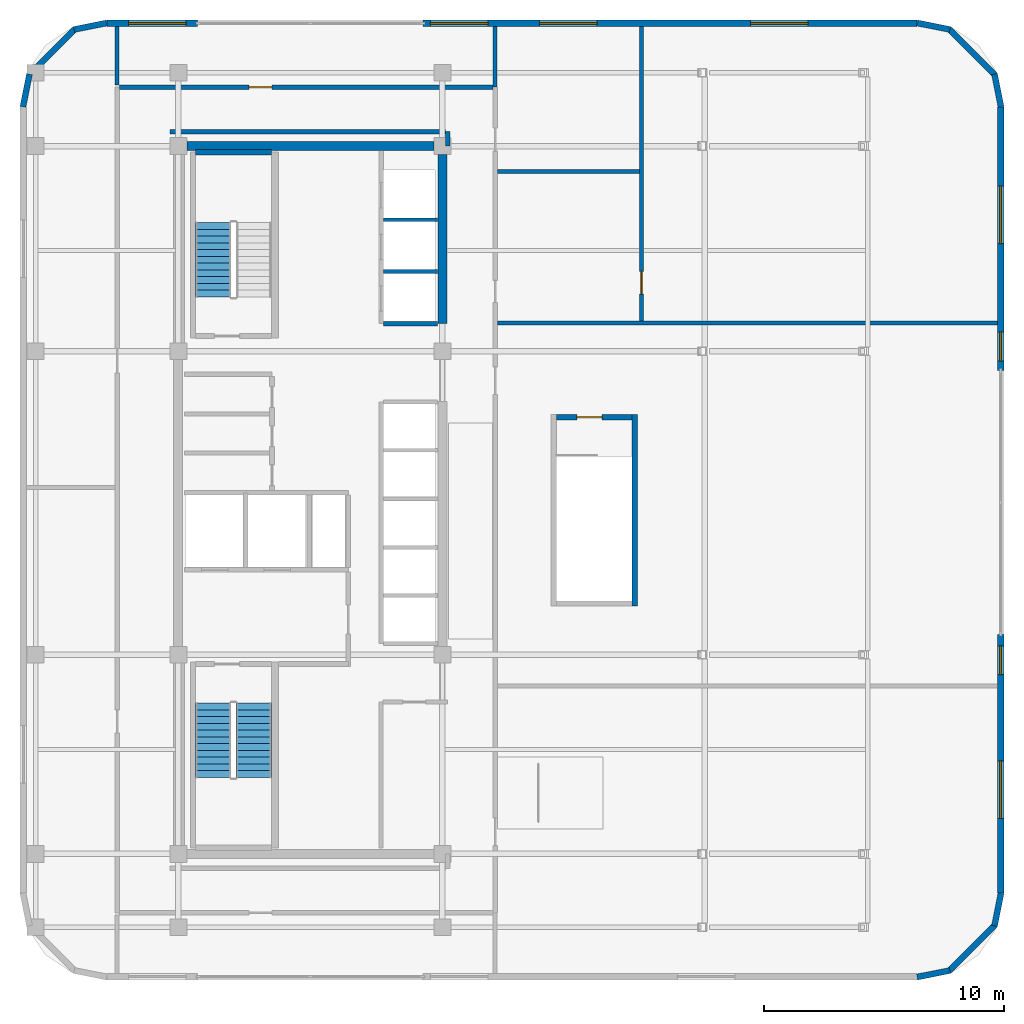
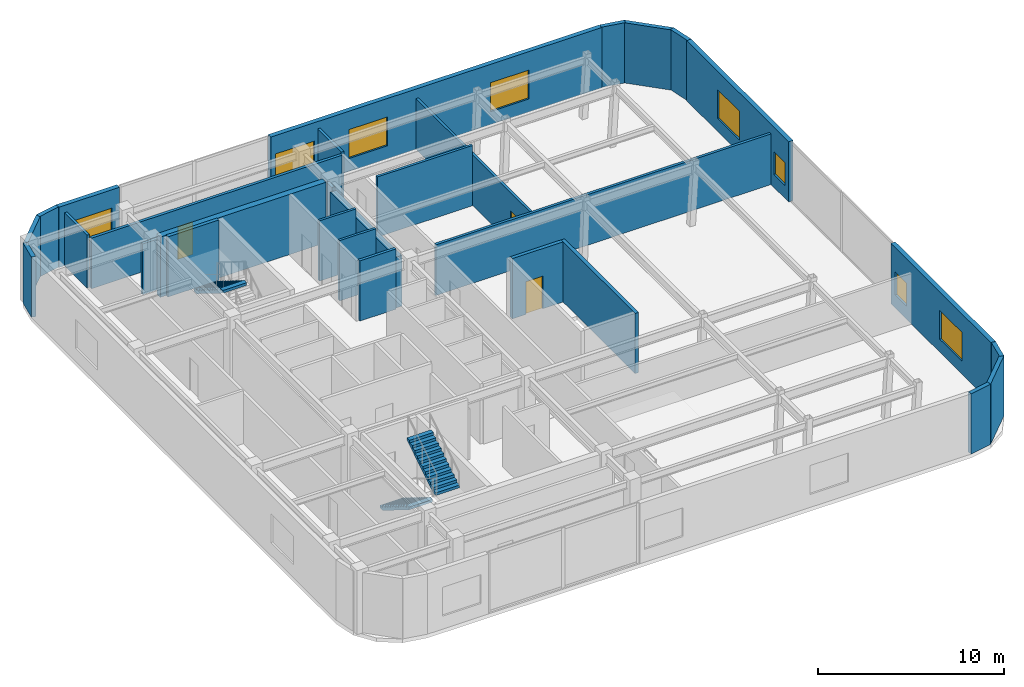
# One storey, part 8 of 10: 29 walls, 8 windows, 3 doors, 3 stair flights, 11 openings, 2 elements without a shape of their own.
"""IFC4 building model written with IfcOpenShell, lengths in metres."""

from ifc_helpers import new_model, si_unit, direction, frame, frame_2d, origin, place, context, subcontext, project, spatial, polyline, rectangle, outline, extrude, material, layer, layer_set, type_object, element, fill, aggregate, save


model = new_model("IFC4")

# Units and contexts
model_context = context("Model", 3, precision=1e-05, world=origin(), true_north=direction((0.0, 1.0)))
body_context = subcontext(model_context, "Body", "Model", "MODEL_VIEW")
ifc_project = project(units=[si_unit("LENGTHUNIT", "METRE"), si_unit("AREAUNIT", "SQUARE_METRE"), si_unit("VOLUMEUNIT", "CUBIC_METRE"), si_unit("PLANEANGLEUNIT", "RADIAN"), si_unit("MASSUNIT", "GRAM", prefix="KILO")], contexts=[model_context])

# Site, building, storey
site_placement = place(None, origin())
site = spatial("IfcSite", under=ifc_project, at=site_placement, CompositionType="ELEMENT")
building_placement = place(site_placement, origin())
building = spatial("IfcBuilding", under=site, at=building_placement, Name="Ochreholt Gables", CompositionType="ELEMENT")
storey_placement = place(building_placement, frame((0.0, 0.0, 173.39990234375)))
storey = spatial("IfcBuildingStorey", under=building, at=storey_placement, Name="L45", CompositionType="ELEMENT", Elevation=173.39990234375)

# Walls
ifc_material_1 = material(Name="Concrete 50 MPa", Category="concrete")
ifc_layer_1 = layer(ifc_material_1, 0.3798828125, Name="Concrete 50 MPa")
ifc_layer_set_1 = layer_set([ifc_layer_1], Name="Concrete 50 MPa")
wall_type_1 = type_object("IfcWallType", Name="WALL-CSW-380", PredefinedType="SHEAR", material=ifc_layer_set_1)
wall_1_placement = place(storey_placement, frame((35.2099609375, 31.35009765625, 0.0), z_axis=(0.0, 0.0, 1.0), x_axis=(0.0, 1.0, 0.0)))
element("IfcWall", 1, at=wall_1_placement, inside=storey, type_object=wall_type_1, Name="L45 Core North-East Shear Wall", PredefinedType="SHEAR", context=body_context, shape_type="SweptSolid", body=[
    extrude(rectangle(XDim=7.0498046875, YDim=0.3798828125, at=frame_2d((3.52490234375, 0.0))), origin(), (0.0, 0.0, 1.0), 3.34814453125),
])
wall_2_placement = place(storey_placement, frame((24.550048828125, 38.75, 0.0), z_axis=(0.0, 0.0, 1.0), x_axis=(1.0, 0.0, 0.0)))
element("IfcWall", 2, at=wall_2_placement, inside=storey, type_object=wall_type_1, Name="L45 Core North Shear Wall", PredefinedType="SHEAR", context=body_context, shape_type="SweptSolid", body=[
    extrude(rectangle(XDim=10.300048828125, YDim=0.3798828125, at=frame_2d((5.14990234375, 0.0))), origin(), (0.0, 0.0, 1.0), 3.960205078125),
])

# Wall, openings, windows
ifc_material_2 = material(Name="Precast concrete 40 MPa", Category="concrete")
ifc_layer_2 = layer(ifc_material_2, 0.280029296875, Name="Precast concrete 40 MPa")
ifc_layer_set_2 = layer_set([ifc_layer_2], Name="Precast concrete 40 MPa")
wall_type_2 = type_object("IfcWallType", Name="WALL-EXT-280", PredefinedType="SOLIDWALL", material=ifc_layer_set_2)
wall_3_placement = place(storey_placement, frame((58.4599609375, 7.6201171875, 0.0), z_axis=(0.0, 0.0, 1.0), x_axis=(0.0, 1.0, 0.0)))
wall_3 = element("IfcWall", 3, at=wall_3_placement, inside=storey, type_object=wall_type_2, Name="L45 East Facade Wall 1", PredefinedType="SOLIDWALL", context=body_context, shape_type="SweptSolid", body=[
    extrude(rectangle(XDim=10.77978515625, YDim=0.280029296875, at=frame_2d((5.389892578125, 0.0))), origin(), (0.0, 0.0, 1.0), 3.960205078125),
])
opening_1_placement = place(wall_3_placement, frame((3.114990234375, 0.0, 0.85009765625)))
opening_1 = element("IfcOpeningElement", 4, at=opening_1_placement, cuts=wall_3, Name="Opening WN-5", PredefinedType="OPENING", context=body_context, shape_type="SweptSolid", body=[
    extrude(rectangle(XDim=2.39990234375, YDim=1.89990234375, at=frame_2d((1.199951171875, 0.949951171875))), frame((0.0, 0.14990234375, 0.0), z_axis=(0.0, -1.0, 0.0), x_axis=(1.0, 0.0, 0.0)), (0.0, 0.0, 1.0), 0.300048828125),
])
opening_2_placement = place(wall_3_placement, frame((9.10498046875, 0.0, 0.85009765625)))
opening_2 = element("IfcOpeningElement", 5, at=opening_2_placement, cuts=wall_3, Name="Opening WN-3", PredefinedType="OPENING", context=body_context, shape_type="SweptSolid", body=[
    extrude(rectangle(XDim=1.199951171875, YDim=1.5, at=frame_2d((0.60009765625, 0.75))), frame((0.0, 0.14990234375, 0.0), z_axis=(0.0, -1.0, 0.0), x_axis=(1.0, 0.0, 0.0)), (0.0, 0.0, 1.0), 0.300048828125),
])
ifc_material_3 = material(Name="Triple-Glazed Thermally Broken Aluminium Window", Category="aluminium")
window_type_1 = type_object("IfcWindowType", Name="WIN-COM-2400", PartitioningType="SINGLE_PANEL", PredefinedType="WINDOW", material=ifc_material_3)
window_1_placement = place(opening_1_placement, origin())
window_1 = element("IfcWindow", 6, at=window_1_placement, inside=storey, type_object=window_type_1, Name="L45 Window W-EXT-E1-L45-1", OverallHeight=1.89990234375, OverallWidth=2.39990234375, PartitioningType="SINGLE_PANEL", PredefinedType="WINDOW", context=body_context, shape_type="SweptSolid", body=[
    extrude(rectangle(XDim=2.39990234375, YDim=1.89990234375, at=frame_2d((1.199951171875, 0.949951171875))), frame((0.0, 0.030029296875, 0.0), z_axis=(0.0, -1.0, 0.0), x_axis=(1.0, 0.0, 0.0)), (0.0, 0.0, 1.0), 0.06005859375),
])
fill(opening_1, window_1)
window_type_2 = type_object("IfcWindowType", Name="WIN-RES-1200", PartitioningType="SINGLE_PANEL", PredefinedType="WINDOW", material=ifc_material_3)
window_2_placement = place(opening_2_placement, origin())
window_2 = element("IfcWindow", 7, at=window_2_placement, inside=storey, type_object=window_type_2, Name="L45 Window W-EXT-E1-L45-2", OverallHeight=1.5, OverallWidth=1.199951171875, PartitioningType="SINGLE_PANEL", PredefinedType="WINDOW", context=body_context, shape_type="SweptSolid", body=[
    extrude(rectangle(XDim=1.199951171875, YDim=1.5, at=frame_2d((0.60009765625, 0.75))), frame((0.0, 0.030029296875, 0.0), z_axis=(0.0, -1.0, 0.0), x_axis=(1.0, 0.0, 0.0)), (0.0, 0.0, 1.0), 0.06005859375),
])
fill(opening_2, window_2)

wall_4_placement = place(storey_placement, frame((58.4599609375, 29.39990234375, 0.0), z_axis=(0.0, 0.0, 1.0), x_axis=(0.0, 1.0, 0.0)))
wall_4 = element("IfcWall", 8, at=wall_4_placement, inside=storey, type_object=wall_type_2, Name="L45 East Facade Wall 2", PredefinedType="SOLIDWALL", context=body_context, shape_type="SweptSolid", body=[
    extrude(rectangle(XDim=10.97998046875, YDim=0.280029296875, at=frame_2d((5.489990234375, 0.0))), origin(), (0.0, 0.0, 1.0), 3.960205078125),
])
opening_3_placement = place(wall_4_placement, frame((0.389892578125, 0.0, 0.85009765625)))
opening_3 = element("IfcOpeningElement", 9, at=opening_3_placement, cuts=wall_4, Name="Opening WN-3", PredefinedType="OPENING", context=body_context, shape_type="SweptSolid", body=[
    extrude(rectangle(XDim=1.199951171875, YDim=1.5, at=frame_2d((0.60009765625, 0.75))), frame((0.0, 0.14990234375, 0.0), z_axis=(0.0, -1.0, 0.0), x_axis=(1.0, 0.0, 0.0)), (0.0, 0.0, 1.0), 0.300048828125),
])
opening_4_placement = place(wall_4_placement, frame((5.280029296875, 0.0, 0.85009765625)))
opening_4 = element("IfcOpeningElement", 10, at=opening_4_placement, cuts=wall_4, Name="Opening WN-5", PredefinedType="OPENING", context=body_context, shape_type="SweptSolid", body=[
    extrude(rectangle(XDim=2.39990234375, YDim=1.89990234375, at=frame_2d((1.199951171875, 0.949951171875))), frame((0.0, 0.14990234375, 0.0), z_axis=(0.0, -1.0, 0.0), x_axis=(1.0, 0.0, 0.0)), (0.0, 0.0, 1.0), 0.300048828125),
])
window_3_placement = place(opening_4_placement, origin())
window_3 = element("IfcWindow", 11, at=window_3_placement, inside=storey, type_object=window_type_1, Name="L45 Window W-EXT-E2-L45-2", OverallHeight=1.89990234375, OverallWidth=2.39990234375, PartitioningType="SINGLE_PANEL", PredefinedType="WINDOW", context=body_context, shape_type="SweptSolid", body=[
    extrude(rectangle(XDim=2.39990234375, YDim=1.89990234375, at=frame_2d((1.199951171875, 0.949951171875))), frame((0.0, 0.030029296875, 0.0), z_axis=(0.0, -1.0, 0.0), x_axis=(1.0, 0.0, 0.0)), (0.0, 0.0, 1.0), 0.06005859375),
])
fill(opening_4, window_3)
window_4_placement = place(opening_3_placement, origin())
window_4 = element("IfcWindow", 12, at=window_4_placement, inside=storey, type_object=window_type_2, Name="L45 Window W-EXT-E2-L45-1", OverallHeight=1.5, OverallWidth=1.199951171875, PartitioningType="SINGLE_PANEL", PredefinedType="WINDOW", context=body_context, shape_type="SweptSolid", body=[
    extrude(rectangle(XDim=1.199951171875, YDim=1.5, at=frame_2d((0.60009765625, 0.75))), frame((0.0, 0.030029296875, 0.0), z_axis=(0.0, -1.0, 0.0), x_axis=(1.0, 0.0, 0.0)), (0.0, 0.0, 1.0), 0.06005859375),
])
fill(opening_3, window_4)

wall_5_placement = place(storey_placement, frame((54.97998046875, 43.860107421875, 0.0), z_axis=(0.0, 0.0, 1.0), x_axis=(-1.0, 0.0, 0.0)))
wall_5 = element("IfcWall", 13, at=wall_5_placement, inside=storey, type_object=wall_type_2, Name="L45 North Facade Wall 1", PredefinedType="SOLIDWALL", context=body_context, shape_type="SweptSolid", body=[
    extrude(rectangle(XDim=20.580078125, YDim=0.280029296875, at=frame_2d((10.2900390625, 0.0))), origin(), (0.0, 0.0, 1.0), 3.960205078125),
])
opening_5_placement = place(wall_5_placement, frame((17.8798828125, 0.0, 0.85009765625)))
opening_5 = element("IfcOpeningElement", 14, at=opening_5_placement, cuts=wall_5, Name="Opening WN-5", PredefinedType="OPENING", context=body_context, shape_type="SweptSolid", body=[
    extrude(rectangle(XDim=2.39990234375, YDim=1.89990234375, at=frame_2d((1.199951171875, 0.949951171875))), frame((0.0, 0.14990234375, 0.0), z_axis=(0.0, -1.0, 0.0), x_axis=(1.0, 0.0, 0.0)), (0.0, 0.0, 1.0), 0.300048828125),
])
opening_6_placement = place(wall_5_placement, frame((13.330078125, 0.0, 0.85009765625)))
opening_6 = element("IfcOpeningElement", 15, at=opening_6_placement, cuts=wall_5, Name="Opening WN-5", PredefinedType="OPENING", context=body_context, shape_type="SweptSolid", body=[
    extrude(rectangle(XDim=2.39990234375, YDim=1.89990234375, at=frame_2d((1.199951171875, 0.949951171875))), frame((0.0, 0.14990234375, 0.0), z_axis=(0.0, -1.0, 0.0), x_axis=(1.0, 0.0, 0.0)), (0.0, 0.0, 1.0), 0.300048828125),
])
opening_7_placement = place(wall_5_placement, frame((4.5400390625, 0.0, 0.85009765625)))
opening_7 = element("IfcOpeningElement", 16, at=opening_7_placement, cuts=wall_5, Name="Opening WN-5", PredefinedType="OPENING", context=body_context, shape_type="SweptSolid", body=[
    extrude(rectangle(XDim=2.39990234375, YDim=1.89990234375, at=frame_2d((1.199951171875, 0.949951171875))), frame((0.0, 0.14990234375, 0.0), z_axis=(0.0, -1.0, 0.0), x_axis=(1.0, 0.0, 0.0)), (0.0, 0.0, 1.0), 0.300048828125),
])
window_5_placement = place(opening_5_placement, origin())
window_5 = element("IfcWindow", 17, at=window_5_placement, inside=storey, type_object=window_type_1, Name="L45 Window W-EXT-N1-L45-1", OverallHeight=1.89990234375, OverallWidth=2.39990234375, PartitioningType="SINGLE_PANEL", PredefinedType="WINDOW", context=body_context, shape_type="SweptSolid", body=[
    extrude(rectangle(XDim=2.39990234375, YDim=1.89990234375, at=frame_2d((1.199951171875, 0.949951171875))), frame((0.0, 0.030029296875, 0.0), z_axis=(0.0, -1.0, 0.0), x_axis=(1.0, 0.0, 0.0)), (0.0, 0.0, 1.0), 0.06005859375),
])
fill(opening_5, window_5)
window_6_placement = place(opening_6_placement, origin())
window_6 = element("IfcWindow", 18, at=window_6_placement, inside=storey, type_object=window_type_1, Name="L45 Window W-EXT-N1-L45-2", OverallHeight=1.89990234375, OverallWidth=2.39990234375, PartitioningType="SINGLE_PANEL", PredefinedType="WINDOW", context=body_context, shape_type="SweptSolid", body=[
    extrude(rectangle(XDim=2.39990234375, YDim=1.89990234375, at=frame_2d((1.199951171875, 0.949951171875))), frame((0.0, 0.030029296875, 0.0), z_axis=(0.0, -1.0, 0.0), x_axis=(1.0, 0.0, 0.0)), (0.0, 0.0, 1.0), 0.06005859375),
])
fill(opening_6, window_6)
window_7_placement = place(opening_7_placement, origin())
window_7 = element("IfcWindow", 19, at=window_7_placement, inside=storey, type_object=window_type_1, Name="L45 Window W-EXT-N1-L45-3", OverallHeight=1.89990234375, OverallWidth=2.39990234375, PartitioningType="SINGLE_PANEL", PredefinedType="WINDOW", context=body_context, shape_type="SweptSolid", body=[
    extrude(rectangle(XDim=2.39990234375, YDim=1.89990234375, at=frame_2d((1.199951171875, 0.949951171875))), frame((0.0, 0.030029296875, 0.0), z_axis=(0.0, -1.0, 0.0), x_axis=(1.0, 0.0, 0.0)), (0.0, 0.0, 1.0), 0.06005859375),
])
fill(opening_7, window_7)

# Wall, opening, window
wall_6_placement = place(storey_placement, frame((25.0, 43.860107421875, 0.0), z_axis=(0.0, 0.0, 1.0), x_axis=(-1.0, 0.0, 0.0)))
wall_6 = element("IfcWall", 20, at=wall_6_placement, inside=storey, type_object=wall_type_2, Name="L45 North Facade Wall 2", PredefinedType="SOLIDWALL", context=body_context, shape_type="SweptSolid", body=[
    extrude(rectangle(XDim=3.780029296875, YDim=0.280029296875, at=frame_2d((1.89013671875, 0.0))), origin(), (0.0, 0.0, 1.0), 3.960205078125),
])
opening_8_placement = place(wall_6_placement, frame((0.47509765625, 0.0, 0.85009765625)))
opening_8 = element("IfcOpeningElement", 21, at=opening_8_placement, cuts=wall_6, Name="Opening WN-5", PredefinedType="OPENING", context=body_context, shape_type="SweptSolid", body=[
    extrude(rectangle(XDim=2.39990234375, YDim=1.89990234375, at=frame_2d((1.199951171875, 0.949951171875))), frame((0.0, 0.14990234375, 0.0), z_axis=(0.0, -1.0, 0.0), x_axis=(1.0, 0.0, 0.0)), (0.0, 0.0, 1.0), 0.300048828125),
])
window_8_placement = place(opening_8_placement, origin())
window_8 = element("IfcWindow", 22, at=window_8_placement, inside=storey, type_object=window_type_1, Name="L45 Window W-EXT-N2-L45-1", OverallHeight=1.89990234375, OverallWidth=2.39990234375, PartitioningType="SINGLE_PANEL", PredefinedType="WINDOW", context=body_context, shape_type="SweptSolid", body=[
    extrude(rectangle(XDim=2.39990234375, YDim=1.89990234375, at=frame_2d((1.199951171875, 0.949951171875))), frame((0.0, 0.030029296875, 0.0), z_axis=(0.0, -1.0, 0.0), x_axis=(1.0, 0.0, 0.0)), (0.0, 0.0, 1.0), 0.06005859375),
])
fill(opening_8, window_8)

# Walls
ifc_layer_3 = layer(ifc_material_2, 0.25, Name="Precast concrete 40 MPa")
ifc_layer_set_3 = layer_set([ifc_layer_3], Name="Precast concrete 40 MPa")
wall_type_3 = type_object("IfcWallType", Name="WALL-EXT-CNR", PredefinedType="SOLIDWALL", material=ifc_layer_set_3)
wall_7_placement = place(storey_placement, frame((54.9833984375, 4.124267578125, 0.0), z_axis=(0.0, 0.0, 1.0), x_axis=(0.980809899341, 0.19496651342, 0.0)))
element("IfcWall", 23, at=wall_7_placement, inside=storey, type_object=wall_type_3, Name="L45 Rounded Corner Wall SE-1", PredefinedType="SOLIDWALL", context=body_context, shape_type="SweptSolid", body=[
    extrude(rectangle(XDim=1.388671875, YDim=0.25, at=frame_2d((0.6943359375, 0.0))), origin(), (0.0, 0.0, 1.0), 3.960205078125),
])
wall_8_placement = place(storey_placement, frame((56.294921875, 4.367919921875, 0.0), z_axis=(0.0, 0.0, 1.0), x_axis=(0.707106781187, 0.707106781187, 0.0)))
element("IfcWall", 24, at=wall_8_placement, inside=storey, type_object=wall_type_3, Name="L45 Rounded Corner Wall SE-2", PredefinedType="SOLIDWALL", context=body_context, shape_type="SweptSolid", body=[
    extrude(rectangle(XDim=2.7392578125, YDim=0.25, at=frame_2d((1.36962890625, 0.0))), origin(), (0.0, 0.0, 1.0), 3.960205078125),
])
for number, where, z_axis, x_axis, name in (
    (25, (58.205078125, 6.25439453125, 0.0), (0.0, 0.0, 1.0), (0.19496651342, 0.980809899341, 0.0), "L45 Rounded Corner Wall SE-3"),
    (26, (58.475830078125, 40.383544921875, 0.0), (0.0, 0.0, 1.0), (-0.19496651342, 0.980809899341, 0.0), "L45 Rounded Corner Wall NE-1"),
):
    element("IfcWall", number, at=place(storey_placement, frame(where, z_axis=z_axis, x_axis=x_axis)), inside=storey, type_object=wall_type_3, Name=name, PredefinedType="SOLIDWALL", context=body_context, shape_type="SweptSolid", body=[
        extrude(rectangle(XDim=1.388671875, YDim=0.25, at=frame_2d((0.6943359375, 0.0))), origin(), (0.0, 0.0, 1.0), 3.960205078125),
    ])
wall_9_placement = place(storey_placement, frame((58.23193359375, 41.695068359375, 0.0), z_axis=(0.0, 0.0, 1.0), x_axis=(-0.707106781187, 0.707106781187, 0.0)))
element("IfcWall", 27, at=wall_9_placement, inside=storey, type_object=wall_type_3, Name="L45 Rounded Corner Wall NE-2", PredefinedType="SOLIDWALL", context=body_context, shape_type="SweptSolid", body=[
    extrude(rectangle(XDim=2.7392578125, YDim=0.25, at=frame_2d((1.36962890625, 0.0))), origin(), (0.0, 0.0, 1.0), 3.960205078125),
])
for number, where, z_axis, x_axis, name in (
    (28, (56.345458984375, 43.60498046875, 0.0), (0.0, 0.0, 1.0), (-0.980809899341, 0.19496651342, 0.0), "L45 Rounded Corner Wall NE-3"),
    (29, (21.216552734375, 43.875732421875, 0.0), (0.0, 0.0, 1.0), (-0.980809899341, -0.19496651342, 0.0), "L45 Rounded Corner Wall NW-1"),
):
    element("IfcWall", number, at=place(storey_placement, frame(where, z_axis=z_axis, x_axis=x_axis)), inside=storey, type_object=wall_type_3, Name=name, PredefinedType="SOLIDWALL", context=body_context, shape_type="SweptSolid", body=[
        extrude(rectangle(XDim=1.388671875, YDim=0.25, at=frame_2d((0.6943359375, 0.0))), origin(), (0.0, 0.0, 1.0), 3.960205078125),
    ])
wall_10_placement = place(storey_placement, frame((19.905029296875, 43.632080078125, 0.0), z_axis=(0.0, 0.0, 1.0), x_axis=(-0.707106781187, -0.707106781187, 0.0)))
element("IfcWall", 30, at=wall_10_placement, inside=storey, type_object=wall_type_3, Name="L45 Rounded Corner Wall NW-2", PredefinedType="SOLIDWALL", context=body_context, shape_type="SweptSolid", body=[
    extrude(rectangle(XDim=2.7392578125, YDim=0.25, at=frame_2d((1.36962890625, 0.0))), origin(), (0.0, 0.0, 1.0), 3.960205078125),
])
wall_11_placement = place(storey_placement, frame((17.9951171875, 41.74560546875, 0.0), z_axis=(0.0, 0.0, 1.0), x_axis=(-0.195135625965, -0.9807762678, 0.0)))
element("IfcWall", 31, at=wall_11_placement, inside=storey, type_object=wall_type_3, Name="L45 Rounded Corner Wall NW-3", PredefinedType="SOLIDWALL", context=body_context, shape_type="SweptSolid", body=[
    extrude(rectangle(XDim=1.388671875, YDim=0.25, at=frame_2d((0.6943359375, 0.0))), origin(), (0.0, 0.0, 1.0), 3.960205078125),
])
ifc_material_4 = material(Name="Fire-Rated Gypsum Acoustic Partition", Category="gypsum")
ifc_layer_4 = layer(ifc_material_4, 0.179931640625, Name="Fire-Rated Gypsum Acoustic Partition")
ifc_layer_set_4 = layer_set([ifc_layer_4], Name="Fire-Rated Gypsum Acoustic Partition")
wall_type_4 = type_object("IfcWallType", Name="WALL-INT-CR180", PredefinedType="STANDARD", material=ifc_layer_set_4)
wall_12_placement = place(storey_placement, frame((35.419921875, 38.75, 0.0), z_axis=(0.0, 0.0, 1.0), x_axis=(0.0, 1.0, 0.0)))
element("IfcWall", 32, at=wall_12_placement, inside=storey, type_object=wall_type_4, Name="L45 Interior Wall WI-CMCNW1-L45", PredefinedType="STANDARD", context=body_context, shape_type="SweptSolid", body=[
    extrude(rectangle(XDim=0.60009765625, YDim=0.179931640625, at=frame_2d((0.300048828125, 0.0))), origin(), (0.0, 0.0, 1.0), 3.330078125),
])

# Wall, opening, door
wall_13_placement = place(storey_placement, frame((21.739990234375, 41.199951171875, 0.0), z_axis=(0.0, 0.0, 1.0), x_axis=(1.0, 0.0, 0.0)))
wall_13 = element("IfcWall", 33, at=wall_13_placement, inside=storey, type_object=wall_type_4, Name="L45 Interior Wall WI-CMCN-L45", PredefinedType="STANDARD", context=body_context, shape_type="SweptSolid", body=[
    extrude(rectangle(XDim=15.570068359375, YDim=0.179931640625, at=frame_2d((7.78515625, 0.0))), origin(), (0.0, 0.0, 1.0), 3.330078125),
])
opening_9_placement = place(wall_13_placement, frame((5.409912109375, 0.0, 0.0)))
opening_9 = element("IfcOpeningElement", 34, at=opening_9_placement, cuts=wall_13, Name="Opening D-GN1", PredefinedType="OPENING", context=body_context, shape_type="SweptSolid", body=[
    extrude(rectangle(XDim=0.949951171875, YDim=2.14990234375, at=frame_2d((0.47509765625, 1.074951171875))), frame((0.0, 0.099853515625, 0.0), z_axis=(0.0, -1.0, 0.0), x_axis=(1.0, 0.0, 0.0)), (0.0, 0.0, 1.0), 0.199951171875),
])
ifc_material_5 = material(Name="Engineered Oak Timber", Category="wood")
door_type_1 = type_object("IfcDoorType", Name="DR-INT-GEN950", OperationType="NOTDEFINED", PredefinedType="DOOR", material=ifc_material_5)
door_1_placement = place(opening_9_placement, origin())
door_1 = element("IfcDoor", 35, at=door_1_placement, inside=storey, type_object=door_type_1, Name="L45 Door D-CMCN-L45", OperationType="SINGLE_SWING_RIGHT", OverallHeight=2.14990234375, OverallWidth=0.949951171875, PredefinedType="DOOR", context=body_context, shape_type="SweptSolid", body=[
    extrude(rectangle(XDim=0.949951171875, YDim=2.14990234375, at=frame_2d((0.47509765625, 1.074951171875))), frame((0.0, 0.02490234375, 0.0), z_axis=(0.0, -1.0, 0.0), x_axis=(1.0, 0.0, 0.0)), (0.0, 0.0, 1.0), 0.050048828125),
])
fill(opening_9, door_1)

# Wall
wall_14_placement = place(storey_placement, frame((23.85009765625, 39.35009765625, 0.0), z_axis=(0.0, 0.0, 1.0), x_axis=(1.0, 0.0, 0.0)))
element("IfcWall", 36, at=wall_14_placement, inside=storey, type_object=wall_type_4, Name="L45 Interior Wall WI-CMCN2-L45", PredefinedType="STANDARD", context=body_context, shape_type="SweptSolid", body=[
    extrude(rectangle(XDim=11.47998046875, YDim=0.179931640625, at=frame_2d((5.739990234375, 0.0))), origin(), (0.0, 0.0, 1.0), 3.330078125),
])

# Wall, opening, door
ifc_material_6 = material(Name="Moisture-Resistant Plumbing Chase Wall", Category="gypsum")
ifc_layer_5 = layer(ifc_material_6, 0.159912109375, Name="Moisture-Resistant Plumbing Chase Wall")
ifc_layer_set_5 = layer_set([ifc_layer_5], Name="Moisture-Resistant Plumbing Chase Wall")
wall_type_5 = type_object("IfcWallType", Name="WALL-INT-PL160", PredefinedType="PLUMBINGWALL", material=ifc_layer_set_5)
wall_15_placement = place(storey_placement, frame((43.5, 31.46240234375, 0.0), z_axis=(0.0, 0.0, 1.0), x_axis=(0.0, 1.0, 0.0)))
wall_15 = element("IfcWall", 37, at=wall_15_placement, inside=storey, type_object=wall_type_5, Name="L45 Interior Wall WI-CMWC-L45", PredefinedType="PLUMBINGWALL", context=body_context, shape_type="SweptSolid", body=[
    extrude(rectangle(XDim=12.257568359375, YDim=0.159912109375, at=frame_2d((6.12890625, 0.0))), origin(), (0.0, 0.0, 1.0), 3.330078125),
])
opening_10_placement = place(wall_15_placement, frame((1.117431640625, 0.0, 0.0)))
opening_10 = element("IfcOpeningElement", 38, at=opening_10_placement, cuts=wall_15, Name="Opening D-GN1", PredefinedType="OPENING", context=body_context, shape_type="SweptSolid", body=[
    extrude(rectangle(XDim=0.949951171875, YDim=2.14990234375, at=frame_2d((0.47509765625, 1.074951171875))), frame((0.0, 0.08984375, 0.0), z_axis=(0.0, -1.0, 0.0), x_axis=(1.0, 0.0, 0.0)), (0.0, 0.0, 1.0), 0.179931640625),
])
door_2_placement = place(opening_10_placement, origin())
door_2 = element("IfcDoor", 39, at=door_2_placement, inside=storey, type_object=door_type_1, Name="L45 Door D-CMNE-L45", OperationType="SINGLE_SWING_LEFT", OverallHeight=2.14990234375, OverallWidth=0.949951171875, PredefinedType="DOOR", context=body_context, shape_type="SweptSolid", body=[
    extrude(rectangle(XDim=0.949951171875, YDim=2.14990234375, at=frame_2d((0.47509765625, 1.074951171875))), frame((0.0, 0.02490234375, 0.0), z_axis=(0.0, -1.0, 0.0), x_axis=(1.0, 0.0, 0.0)), (0.0, 0.0, 1.0), 0.050048828125),
])
fill(opening_10, door_2)

# Walls
wall_16_placement = place(storey_placement, frame((37.489990234375, 37.68994140625, 0.0), z_axis=(0.0, 0.0, 1.0), x_axis=(1.0, 0.0, 0.0)))
element("IfcWall", 40, at=wall_16_placement, inside=storey, type_object=wall_type_5, Name="L45 Interior Wall WI-CMWCD-L45", PredefinedType="PLUMBINGWALL", context=body_context, shape_type="SweptSolid", body=[
    extrude(rectangle(XDim=5.929931640625, YDim=0.159912109375, at=frame_2d((2.96484375, 0.0))), origin(), (0.0, 0.0, 1.0), 3.960205078125),
])
ifc_material_7 = material(Name="Gypsum Acoustic Stud Partition", Category="gypsum")
ifc_layer_6 = layer(ifc_material_7, 0.1650390625, Name="Gypsum Acoustic Stud Partition")
ifc_layer_set_6 = layer_set([ifc_layer_6], Name="Gypsum Acoustic Stud Partition")
wall_type_6 = type_object("IfcWallType", Name="WALL-INT-PT165", PredefinedType="PARTITIONING", material=ifc_layer_set_6)
wall_17_placement = place(storey_placement, frame((37.39990234375, 41.199951171875, 0.0), z_axis=(0.0, 0.0, 1.0), x_axis=(0.0, 1.0, 0.0)))
element("IfcWall", 41, at=wall_17_placement, inside=storey, type_object=wall_type_6, Name="L45 Interior Wall WI-CMCEN-L45", PredefinedType="PARTITIONING", context=body_context, shape_type="SweptSolid", body=[
    extrude(rectangle(XDim=2.52001953125, YDim=0.1650390625, at=frame_2d((1.260009765625, 0.0))), origin(), (0.0, 0.0, 1.0), 3.47900390625),
])
wall_18_placement = place(storey_placement, frame((37.489990234375, 31.3798828125, 0.0), z_axis=(0.0, 0.0, 1.0), x_axis=(1.0, 0.0, 0.0)))
element("IfcWall", 42, at=wall_18_placement, inside=storey, type_object=wall_type_6, Name="L45 Interior Wall WI-CME2-L45", PredefinedType="PARTITIONING", context=body_context, shape_type="SweptSolid", body=[
    extrude(rectangle(XDim=20.830078125, YDim=0.1650390625, at=frame_2d((10.4150390625, 0.0))), origin(), (0.0, 0.0, 1.0), 3.330078125),
])
wall_19_placement = place(storey_placement, frame((21.64990234375, 41.2900390625, 0.0), z_axis=(0.0, 0.0, 1.0), x_axis=(0.0, 1.0, 0.0)))
element("IfcWall", 43, at=wall_19_placement, inside=storey, type_object=wall_type_6, Name="L45 Interior Wall WI-CMCWN-L45", PredefinedType="PARTITIONING", context=body_context, shape_type="SweptSolid", body=[
    extrude(rectangle(XDim=2.429931640625, YDim=0.1650390625, at=frame_2d((1.21484375, 0.0))), origin(), (0.0, 0.0, 1.0), 3.47900390625),
])
ifc_material_8 = material(Name="Gypsum Shaftliner and Steel Stud", Category="steel")
ifc_layer_7 = layer(ifc_material_8, 0.14990234375, Name="Gypsum Shaftliner and Steel Stud")
ifc_layer_set_7 = layer_set([ifc_layer_7], Name="Gypsum Shaftliner and Steel Stud")
wall_type_7 = type_object("IfcWallType", Name="WALL-INT-SH150", PredefinedType="STANDARD", material=ifc_layer_set_7)
for number, where, z_axis, x_axis, name in (
    (44, (32.739990234375, 33.52001953125, 0.0), (0.0, 0.0, 1.0), (1.0, 0.0, 0.0), "L45 Interior Wall WI-LFM-D1-L45"),
    (45, (32.739990234375, 35.669921875, 0.0), (0.0, 0.0, 1.0), (1.0, 0.0, 0.0), "L45 Interior Wall WI-LFM-D2-L45"),
):
    element("IfcWall", number, at=place(storey_placement, frame(where, z_axis=z_axis, x_axis=x_axis)), inside=storey, type_object=wall_type_7, Name=name, PredefinedType="STANDARD", context=body_context, shape_type="SweptSolid", body=[
        extrude(rectangle(XDim=2.260009765625, YDim=0.14990234375, at=frame_2d((1.1298828125, 0.0))), origin(), (0.0, 0.0, 1.0), 3.960205078125),
    ])
ifc_layer_8 = layer(ifc_material_8, 0.179931640625, Name="Gypsum Shaftliner and Steel Stud")
ifc_layer_set_8 = layer_set([ifc_layer_8], Name="Gypsum Shaftliner and Steel Stud")
wall_type_8 = type_object("IfcWallType", Name="WALL-INT-SH180", PredefinedType="STANDARD", material=ifc_layer_set_8)
wall_20_placement = place(storey_placement, frame((32.739990234375, 31.35009765625, 0.0), z_axis=(0.0, 0.0, 1.0), x_axis=(1.0, 0.0, 0.0)))
element("IfcWall", 46, at=wall_20_placement, inside=storey, type_object=wall_type_8, Name="L45 Interior Wall WI-LFM-S-L45", PredefinedType="STANDARD", context=body_context, shape_type="SweptSolid", body=[
    extrude(rectangle(XDim=2.260009765625, YDim=0.179931640625, at=frame_2d((1.1298828125, 0.0))), origin(), (0.0, 0.0, 1.0), 3.960205078125),
])
ifc_layer_9 = layer(ifc_material_1, 0.219970703125, Name="Concrete 50 MPa")
ifc_layer_set_9 = layer_set([ifc_layer_9], Name="Concrete 50 MPa")
wall_type_9 = type_object("IfcWallType", Name="WALL-STW-220", PredefinedType="SHEAR", material=ifc_layer_set_9)
wall_21_placement = place(storey_placement, frame((24.919921875, 38.489990234375, 0.0), z_axis=(0.0, 0.0, 1.0), x_axis=(1.0, 0.0, 0.0)))
element("IfcWall", 47, at=wall_21_placement, inside=storey, type_object=wall_type_9, Name="L45 Exit Stair 2 North Wall", PredefinedType="SHEAR", context=body_context, shape_type="SweptSolid", body=[
    extrude(rectangle(XDim=3.16015625, YDim=0.219970703125, at=frame_2d((1.580078125, 0.0))), origin(), (0.0, 0.0, 1.0), 3.960205078125),
])
wall_22_placement = place(storey_placement, frame((43.219970703125, 19.580078125, 0.0), z_axis=(0.0, 0.0, 1.0), x_axis=(0.0, 1.0, 0.0)))
element("IfcWall", 48, at=wall_22_placement, inside=storey, type_object=wall_type_9, Name="L45 Feature Stair ST-C4 East Wall", PredefinedType="SHEAR", context=body_context, shape_type="SweptSolid", body=[
    extrude(rectangle(XDim=7.97998046875, YDim=0.219970703125, at=frame_2d((3.989990234375, 0.0))), origin(), (0.0, 0.0, 1.0), 3.960205078125),
])

# Wall, opening, door
wall_23_placement = place(storey_placement, frame((39.949951171875, 27.449951171875, 0.0), z_axis=(0.0, 0.0, 1.0), x_axis=(1.0, 0.0, 0.0)))
wall_23 = element("IfcWall", 49, at=wall_23_placement, inside=storey, type_object=wall_type_9, Name="L45 Feature Stair ST-C4 North Wall", PredefinedType="SHEAR", context=body_context, shape_type="SweptSolid", body=[
    extrude(rectangle(XDim=3.16015625, YDim=0.219970703125, at=frame_2d((1.580078125, 0.0))), origin(), (0.0, 0.0, 1.0), 3.960205078125),
])
opening_11_placement = place(wall_23_placement, frame((0.85009765625, 0.0, 0.0)))
opening_11 = element("IfcOpeningElement", 50, at=opening_11_placement, cuts=wall_23, Name="Opening D-STC", PredefinedType="OPENING", context=body_context, shape_type="SweptSolid", body=[
    extrude(rectangle(XDim=1.050048828125, YDim=2.14990234375, at=frame_2d((0.52490234375, 1.074951171875))), frame((0.0, 0.119873046875, 0.0), z_axis=(0.0, -1.0, 0.0), x_axis=(1.0, 0.0, 0.0)), (0.0, 0.0, 1.0), 0.239990234375),
])
ifc_material_9 = material(Name="Hollow Metal Steel", Category="steel")
door_type_2 = type_object("IfcDoorType", Name="DR-INT-ST1050", OperationType="NOTDEFINED", PredefinedType="DOOR", material=ifc_material_9)
door_3_placement = place(opening_11_placement, frame((1.050048828125, 0.0, 0.0), z_axis=(0.0, 0.0, 1.0), x_axis=(-1.0, 0.0, 0.0)))
door_3 = element("IfcDoor", 51, at=door_3_placement, inside=storey, type_object=door_type_2, Name="L45 Door D-FST-L45", OperationType="SINGLE_SWING_LEFT", OverallHeight=2.14990234375, OverallWidth=1.050048828125, PredefinedType="DOOR", context=body_context, shape_type="SweptSolid", body=[
    extrude(rectangle(XDim=1.050048828125, YDim=2.14990234375, at=frame_2d((0.52490234375, 1.074951171875))), frame((0.0, 0.02490234375, 0.0), z_axis=(0.0, -1.0, 0.0), x_axis=(1.0, 0.0, 0.0)), (0.0, 0.0, 1.0), 0.050048828125),
])
fill(opening_11, door_3)

# Stair, stair flights
ifc_material_10 = material(Name="Concrete 40 MPa", Category="concrete")
stair_type_1 = type_object("IfcStairType", Name="STAIR-CORE-ST-1", PredefinedType="HALF_TURN_STAIR", material=ifc_material_10)
stair_1_placement = place(storey_placement, origin())
stair_1 = element("IfcStair", 52, at=stair_1_placement, inside=storey, type_object=stair_type_1, Name="L45 Core Exit Stair 1", PredefinedType="HALF_TURN_STAIR")
stair_flight_type = type_object("IfcStairFlightType", Name="FLIGHT-ST-1480-1750", PredefinedType="STRAIGHT", material=ifc_material_10)
stair_flight_1_placement = place(storey_placement, frame((25.659912109375, 15.5400390625, 0.0), z_axis=(0.0, 0.0, 1.0), x_axis=(0.0, -1.0, 0.0)))
stair_flight_1 = element("IfcStairFlight", 53, at=stair_flight_1_placement, type_object=stair_flight_type, Name="ST-1 flight 1", NumberOfRisers=12, NumberOfTreads=11, PredefinedType="STRAIGHT", RiserHeight=0.175, TreadLength=0.282, context=body_context, shape_type="SweptSolid", body=[
    extrude(outline(polyline([(0.0, 0.0), (0.0, 0.175048828125), (0.281982421875, 0.175048828125), (0.281982421875, 0.35009765625), (0.56396484375, 0.35009765625), (0.56396484375, 0.52490234375), (0.845947265625, 0.52490234375), (0.845947265625, 0.699951171875), (1.1279296875, 0.699951171875), (1.1279296875, 0.875), (1.409912109375, 0.875), (1.409912109375, 1.050048828125), (1.69189453125, 1.050048828125), (1.69189453125, 1.22509765625), (1.97412109375, 1.22509765625), (1.97412109375, 1.39990234375), (2.256103515625, 1.39990234375), (2.256103515625, 1.574951171875), (2.5380859375, 1.574951171875), (2.5380859375, 1.75), (2.820068359375, 1.75), (2.820068359375, 1.925048828125), (3.10205078125, 1.925048828125), (3.10205078125, 2.10009765625), (3.10205078125, 1.74853515625), (0.2841796875, 0.0), (0.0, 0.0)])), frame((0.0, 0.739990234375, 0.0), z_axis=(0.0, -1.0, 0.0), x_axis=(1.0, 0.0, 0.0)), (0.0, 0.0, 1.0), 1.47998046875),
])
stair_flight_2_placement = place(storey_placement, frame((27.340087890625, 12.43798828125, 2.10009765625), z_axis=(0.0, 0.0, 1.0), x_axis=(0.0, 1.0, 0.0)))
stair_flight_2 = element("IfcStairFlight", 54, at=stair_flight_2_placement, type_object=stair_flight_type, Name="ST-1 flight 2", NumberOfRisers=12, NumberOfTreads=11, PredefinedType="STRAIGHT", RiserHeight=0.175, TreadLength=0.282, context=body_context, shape_type="SweptSolid", body=[
    extrude(outline(polyline([(0.0, 0.0), (0.0, 0.175048828125), (0.281982421875, 0.175048828125), (0.281982421875, 0.35009765625), (0.56396484375, 0.35009765625), (0.56396484375, 0.52490234375), (0.845947265625, 0.52490234375), (0.845947265625, 0.699951171875), (1.1279296875, 0.699951171875), (1.1279296875, 0.875), (1.409912109375, 0.875), (1.409912109375, 1.050048828125), (1.69189453125, 1.050048828125), (1.69189453125, 1.22509765625), (1.97412109375, 1.22509765625), (1.97412109375, 1.39990234375), (2.256103515625, 1.39990234375), (2.256103515625, 1.574951171875), (2.5380859375, 1.574951171875), (2.5380859375, 1.75), (2.820068359375, 1.75), (2.820068359375, 1.925048828125), (3.10205078125, 1.925048828125), (3.10205078125, 2.10009765625), (3.10205078125, 1.74853515625), (0.2841796875, 0.0), (0.0, 0.0)])), frame((0.0, 0.739990234375, 0.0), z_axis=(0.0, -1.0, 0.0), x_axis=(1.0, 0.0, 0.0)), (0.0, 0.0, 1.0), 1.47998046875),
])
aggregate(stair_1, [stair_flight_1, stair_flight_2])

# Stair, stair flight
stair_type_2 = type_object("IfcStairType", Name="STAIR-CORE-ST-2", PredefinedType="HALF_TURN_STAIR", material=ifc_material_10)
stair_2_placement = place(storey_placement, origin())
stair_2 = element("IfcStair", 55, at=stair_2_placement, inside=storey, type_object=stair_type_2, Name="L45 Core Exit Stair 2", PredefinedType="HALF_TURN_STAIR")
stair_flight_3_placement = place(storey_placement, frame((25.659912109375, 35.56201171875, 2.10009765625), z_axis=(0.0, 0.0, 1.0), x_axis=(0.0, -1.0, 0.0)))
stair_flight_3 = element("IfcStairFlight", 56, at=stair_flight_3_placement, type_object=stair_flight_type, Name="ST-2 flight 2", NumberOfRisers=12, NumberOfTreads=11, PredefinedType="STRAIGHT", RiserHeight=0.175, TreadLength=0.282, context=body_context, shape_type="SweptSolid", body=[
    extrude(outline(polyline([(0.0, 0.0), (0.0, 0.175048828125), (0.281982421875, 0.175048828125), (0.281982421875, 0.35009765625), (0.56396484375, 0.35009765625), (0.56396484375, 0.52490234375), (0.845947265625, 0.52490234375), (0.845947265625, 0.699951171875), (1.1279296875, 0.699951171875), (1.1279296875, 0.875), (1.409912109375, 0.875), (1.409912109375, 1.050048828125), (1.69189453125, 1.050048828125), (1.69189453125, 1.22509765625), (1.97412109375, 1.22509765625), (1.97412109375, 1.39990234375), (2.256103515625, 1.39990234375), (2.256103515625, 1.574951171875), (2.5380859375, 1.574951171875), (2.5380859375, 1.75), (2.820068359375, 1.75), (2.820068359375, 1.925048828125), (3.10205078125, 1.925048828125), (3.10205078125, 2.10009765625), (3.10205078125, 1.74853515625), (0.2841796875, 0.0), (0.0, 0.0)])), frame((0.0, 0.739990234375, 0.0), z_axis=(0.0, -1.0, 0.0), x_axis=(1.0, 0.0, 0.0)), (0.0, 0.0, 1.0), 1.47998046875),
])
aggregate(stair_2, [stair_flight_3])

save(model, "model.ifc")
